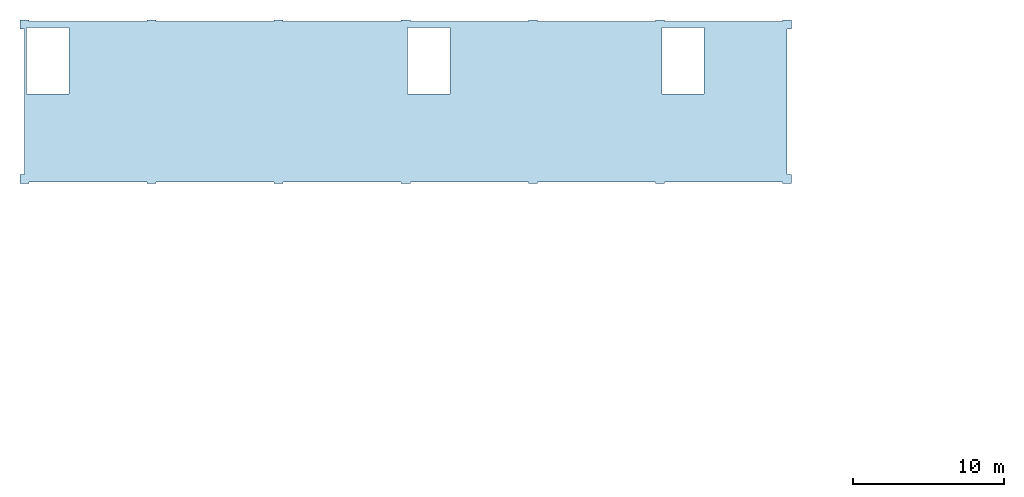
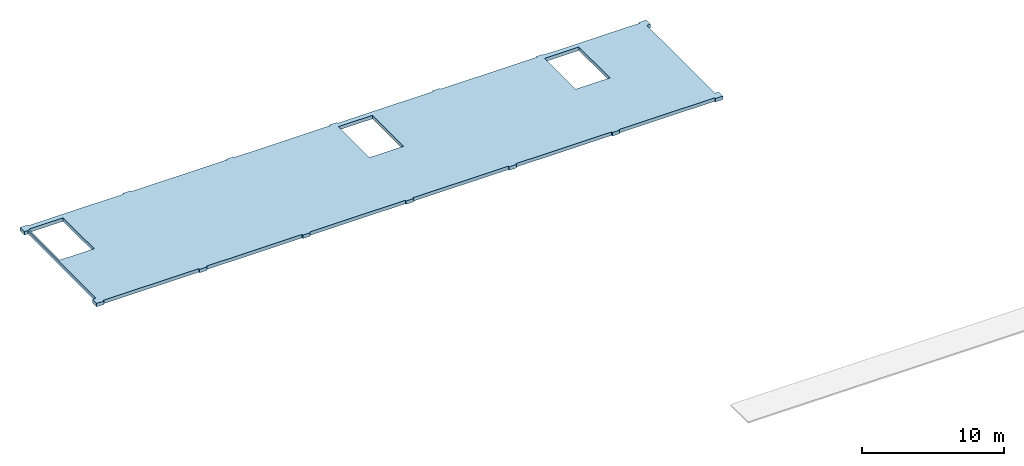
# One storey, part 1 of 2: 1 slab.
"""IFC4 building model written with IfcOpenShell, lengths in metres."""

from ifc_helpers import new_model, si_unit, direction, frame, origin, place, context, subcontext, project, spatial, polyline, outline, extrude, material, layer, layer_set, type_object, element, save


model = new_model("IFC4")

# Units and contexts
model_context = context("Model", 3, precision=1e-05, world=origin(), true_north=direction((0.0, 1.0)))
body_context = subcontext(model_context, "Body", "Model", "MODEL_VIEW")
ifc_project = project(units=[si_unit("LENGTHUNIT", "METRE"), si_unit("AREAUNIT", "SQUARE_METRE"), si_unit("VOLUMEUNIT", "CUBIC_METRE"), si_unit("PLANEANGLEUNIT", "RADIAN"), si_unit("MASSUNIT", "GRAM", prefix="KILO")], contexts=[model_context])

# Site, building, storey
site_placement = place(None, origin())
site = spatial("IfcSite", under=ifc_project, at=site_placement, CompositionType="ELEMENT")
building_placement = place(site_placement, origin())
building = spatial("IfcBuilding", under=site, at=building_placement, Name="Wasatch Bagh Community Centre", CompositionType="ELEMENT")
storey_placement = place(building_placement, frame((0.0, 0.0, 21.0)))
storey = spatial("IfcBuildingStorey", under=building, at=storey_placement, Name="Roof", CompositionType="ELEMENT", Elevation=21.0)

# Slab
ifc_material = material(Name="Concrete C35", Category="concrete")
ifc_layer = layer(ifc_material, 0.300048828125)
ifc_layer_set = layer_set([ifc_layer], Name="Concrete C35")
slab_type = type_object("IfcSlabType", Name="LW roof garden terrace slab 300", PredefinedType="ROOF", material=ifc_layer_set)
slab_placement = place(storey_placement, frame((0.0, 0.0, -0.300048828125)))
element("IfcSlab", 1, at=slab_placement, inside=storey, type_object=slab_type, Name="LW.slab.L04.09", PredefinedType="ROOF", context=body_context, shape_type="SweptSolid", body=[
    extrude(outline(polyline([(80.800048828125, 87.89990234375), (80.800048828125, 97.5), (80.5, 97.5), (80.5, 98.10009765625), (81.10009765625, 98.10009765625), (81.10009765625, 98.0), (88.89990234375, 98.0), (88.89990234375, 98.10009765625), (89.5, 98.10009765625), (89.5, 98.0), (97.300048828125, 98.0), (97.300048828125, 98.10009765625), (97.89990234375, 98.10009765625), (97.89990234375, 98.0), (105.699951171875, 98.0), (105.699951171875, 98.10009765625), (106.300048828125, 98.10009765625), (106.300048828125, 98.0), (114.10009765625, 98.0), (114.10009765625, 98.10009765625), (114.699951171875, 98.10009765625), (114.699951171875, 98.0), (122.5, 98.0), (122.5, 98.10009765625), (123.10009765625, 98.10009765625), (123.10009765625, 98.0), (130.89990234375, 98.0), (130.89990234375, 98.10009765625), (131.5, 98.10009765625), (131.5, 97.5), (131.199951171875, 97.5), (131.199951171875, 87.89990234375), (131.5, 87.89990234375), (131.5, 87.300048828125), (130.89990234375, 87.300048828125), (130.89990234375, 87.39990234375), (123.10009765625, 87.39990234375), (123.10009765625, 87.300048828125), (122.5, 87.300048828125), (122.5, 87.39990234375), (114.699951171875, 87.39990234375), (114.699951171875, 87.300048828125), (114.10009765625, 87.300048828125), (114.10009765625, 87.39990234375), (106.300048828125, 87.39990234375), (106.300048828125, 87.300048828125), (105.699951171875, 87.300048828125), (105.699951171875, 87.39990234375), (97.89990234375, 87.39990234375), (97.89990234375, 87.300048828125), (97.300048828125, 87.300048828125), (97.300048828125, 87.39990234375), (89.5, 87.39990234375), (89.5, 87.300048828125), (88.89990234375, 87.300048828125), (88.89990234375, 87.39990234375), (81.10009765625, 87.39990234375), (81.10009765625, 87.300048828125), (80.5, 87.300048828125), (80.5, 87.89990234375), (80.800048828125, 87.89990234375)]), holes=[polyline([(83.72509765625, 93.219970703125), (83.72509765625, 97.60009765625), (80.925048828125, 97.60009765625), (80.925048828125, 93.219970703125), (83.72509765625, 93.219970703125)]), polyline([(108.925048828125, 93.219970703125), (108.925048828125, 97.60009765625), (106.125, 97.60009765625), (106.125, 93.219970703125), (108.925048828125, 93.219970703125)]), polyline([(125.72509765625, 93.219970703125), (125.72509765625, 97.60009765625), (122.925048828125, 97.60009765625), (122.925048828125, 93.219970703125), (125.72509765625, 93.219970703125)])]), origin(), (0.0, 0.0, 1.0), 0.300048828125),
])

save(model, "model.ifc")
